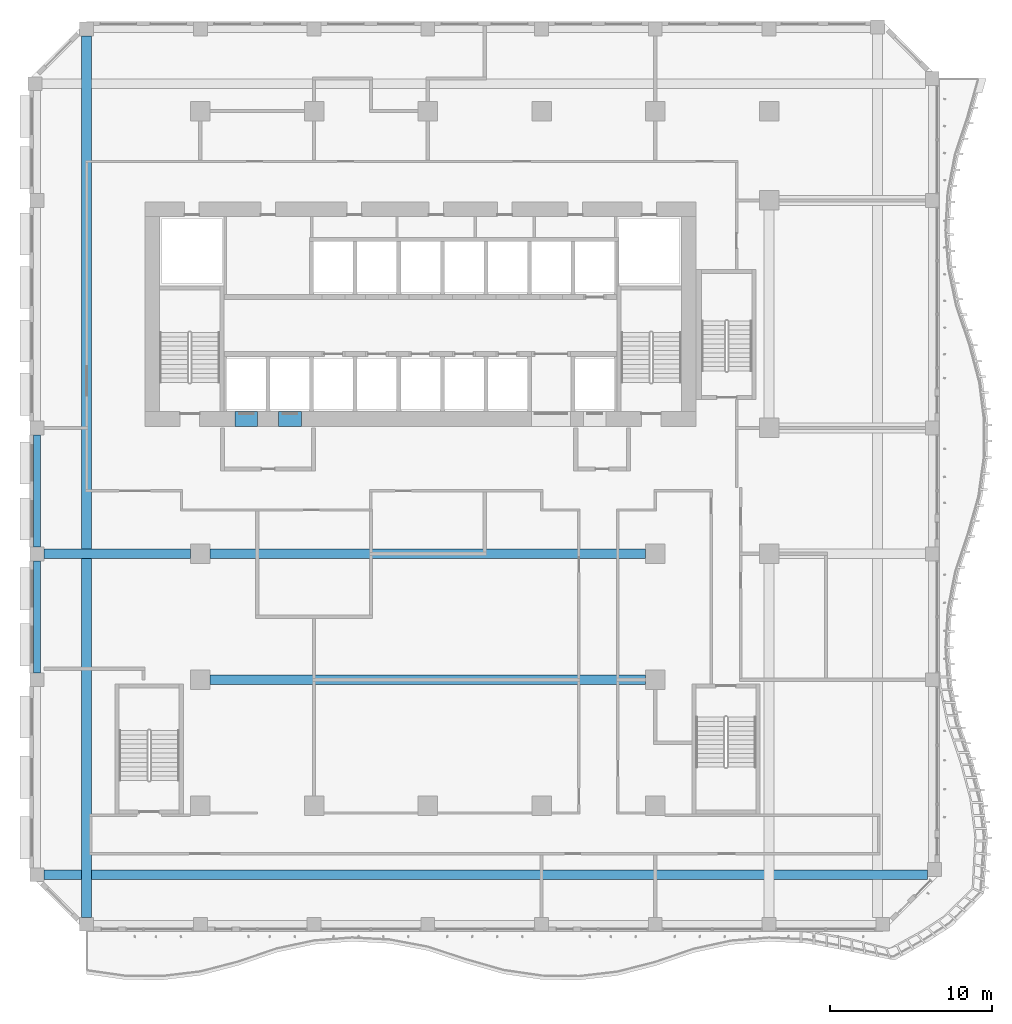
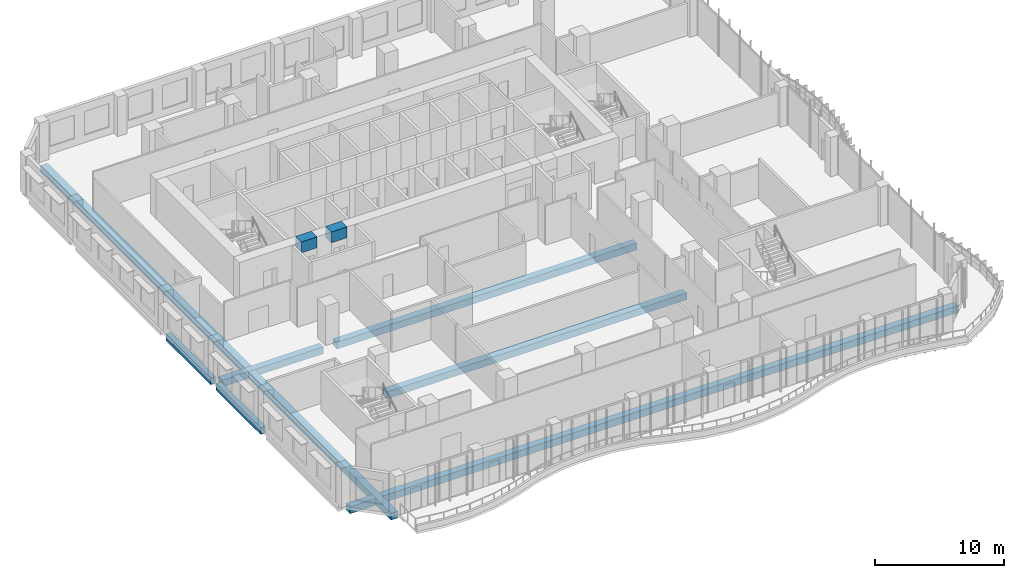
# One storey, part 3 of 26: 9 beams.
"""IFC4 building model written with IfcOpenShell, lengths in metres."""

from ifc_helpers import new_model, si_unit, direction, frame, origin, origin_2d, place, context, subcontext, project, spatial, rectangle, extrude, source, transform, mapped, material, material_profile, profile_set, type_object, element, save


model = new_model("IFC4")

# Units and contexts
model_context = context("Model", 3, precision=1e-05, world=origin(), true_north=direction((0.0, 1.0)))
body_context = subcontext(model_context, "Body", "Model", "MODEL_VIEW")
ifc_project = project(units=[si_unit("LENGTHUNIT", "METRE"), si_unit("AREAUNIT", "SQUARE_METRE"), si_unit("VOLUMEUNIT", "CUBIC_METRE"), si_unit("PLANEANGLEUNIT", "RADIAN"), si_unit("MASSUNIT", "GRAM", prefix="KILO")], contexts=[model_context])

# Site, building, storey
site_placement = place(None, origin())
site = spatial("IfcSite", under=ifc_project, at=site_placement, CompositionType="ELEMENT")
building_placement = place(site_placement, origin())
building = spatial("IfcBuilding", under=site, at=building_placement, Name="Kilnfold Tower and Market Hall", CompositionType="ELEMENT")
storey_placement = place(building_placement, frame((0.0, 0.0, 108.60009765625)))
storey = spatial("IfcBuildingStorey", under=building, at=storey_placement, Name="L25", CompositionType="ELEMENT", Elevation=108.60009765625)

# Beams
ifc_material_1 = material(Name="Concrete C70", Category="concrete")
ifc_material_profile_1 = material_profile(ifc_material_1, rectangle(XDim=0.89990234375, YDim=1.02001953125, at=origin_2d()), Name="RC 900x1020")
ifc_profile_set_1 = profile_set([ifc_material_profile_1], Name="Concrete C70")
beam_type_1 = type_object("IfcBeamType", Name="COUPLING BEAM 900X1020 C70", PredefinedType="BEAM", material=ifc_profile_set_1)
shared_shape_1 = source(origin(), body_context, "Body", "SweptSolid", [
    extrude(rectangle(XDim=0.89990234375, YDim=1.02001953125, at=origin_2d()), origin(), (0.0, 0.0, 1.0), 1.400146484375),
])
beam_1_placement = place(storey_placement, frame((-10.3701171875, 8.550048828125, 3.2099609375), z_axis=(1.0, 0.0, 0.0), x_axis=(0.0, 1.0, 0.0)))
element("IfcBeam", 1, at=beam_1_placement, inside=storey, type_object=beam_type_1, Name="Coupling beam CB1020-70-CORE.40", PredefinedType="BEAM", context=body_context, shape_type="MappedRepresentation", body=[
    mapped(shared_shape_1, transform((0.0, 0.0, 0.0))),
])
shared_shape_2 = source(origin(), body_context, "Body", "SweptSolid", [
    extrude(rectangle(XDim=0.89990234375, YDim=1.02001953125, at=origin_2d()), origin(), (0.0, 0.0, 1.0), 1.39990234375),
])
beam_2_placement = place(storey_placement, frame((-7.68994140625, 8.550048828125, 3.2099609375), z_axis=(1.0, 0.0, 0.0), x_axis=(0.0, 1.0, 0.0)))
element("IfcBeam", 2, at=beam_2_placement, inside=storey, type_object=beam_type_1, Name="Coupling beam CB1020-70-CORE.41", PredefinedType="BEAM", context=body_context, shape_type="MappedRepresentation", body=[
    mapped(shared_shape_2, transform((0.0, 0.0, 0.0))),
])
ifc_material_2 = material(Name="Concrete C45", Category="concrete")
ifc_material_profile_2 = material_profile(ifc_material_2, rectangle(XDim=0.60009765625, YDim=0.64990234375, at=origin_2d()), Name="RC 600x650")
ifc_profile_set_2 = profile_set([ifc_material_profile_2], Name="Concrete C45")
beam_type_2 = type_object("IfcBeamType", Name="BEAM 600X650 C45", PredefinedType="BEAM", material=ifc_profile_set_2)
shared_shape_3 = source(origin(), body_context, "Body", "SweptSolid", [
    extrude(rectangle(XDim=0.60009765625, YDim=0.64990234375, at=origin_2d()), origin(), (0.0, 0.0, 1.0), 54.3818359375),
])
beam_3_placement = place(storey_placement, frame((-22.125, -19.5, -0.60498046875), z_axis=(1.0, 0.0, 0.0), x_axis=(0.0, 1.0, 0.0)))
element("IfcBeam", 3, at=beam_3_placement, inside=storey, type_object=beam_type_2, Name="Beam BB650-B3.59", PredefinedType="BEAM", context=body_context, shape_type="MappedRepresentation", body=[
    mapped(shared_shape_3, transform((0.0, 0.0, 0.0))),
])
shared_shape_4 = source(origin(), body_context, "Body", "SweptSolid", [
    extrude(rectangle(XDim=0.60009765625, YDim=0.64990234375, at=origin_2d()), origin(), (0.0, 0.0, 1.0), 26.7998046875),
])
for number, where, z_axis, x_axis, name in (
    (4, (-11.89990234375, -7.5, -0.60498046875), (1.0, 0.0, 0.0), (0.0, 1.0, 0.0), "Beam BB650-B3.60"),
    (5, (-11.89990234375, 0.25, -0.60498046875), (1.0, 0.0, 0.0), (0.0, 1.0, 0.0), "Beam BB650-B3.62"),
):
    element("IfcBeam", number, at=place(storey_placement, frame(where, z_axis=z_axis, x_axis=x_axis)), inside=storey, type_object=beam_type_2, Name=name, PredefinedType="BEAM", context=body_context, shape_type="MappedRepresentation", body=[
        mapped(shared_shape_4, transform((0.0, 0.0, 0.0))),
    ])
shared_shape_5 = source(origin(), body_context, "Body", "SweptSolid", [
    extrude(rectangle(XDim=0.60009765625, YDim=0.64990234375, at=origin_2d()), origin(), (0.0, 0.0, 1.0), 9.02490234375),
])
beam_4_placement = place(storey_placement, frame((-22.125, 0.25, -0.60498046875), z_axis=(1.0, 0.0, 0.0), x_axis=(0.0, 1.0, 0.0)))
element("IfcBeam", 6, at=beam_4_placement, inside=storey, type_object=beam_type_2, Name="Beam BB650-B3.61", PredefinedType="BEAM", context=body_context, shape_type="MappedRepresentation", body=[
    mapped(shared_shape_5, transform((0.0, 0.0, 0.0))),
])
ifc_material_3 = material(Name="Concrete C45", Category="concrete")
ifc_material_profile_3 = material_profile(ifc_material_3, rectangle(XDim=0.449951171875, YDim=0.64990234375, at=origin_2d()), Name="RC 450x650")
ifc_profile_set_3 = profile_set([ifc_material_profile_3], Name="Concrete C45")
beam_type_3 = type_object("IfcBeamType", Name="EDGE BEAM 450X650 C45", PredefinedType="BEAM", material=ifc_profile_set_3)
shared_shape_6 = source(origin(), body_context, "Body", "SweptSolid", [
    extrude(rectangle(XDim=0.449951171875, YDim=0.64990234375, at=origin_2d()), origin(), (0.0, 0.0, 1.0), 6.89990234375),
])
for number, where, z_axis, x_axis, name in (
    (7, (-22.550048828125, -7.074951171875, -0.60498046875), (0.0, 1.0, 0.0), (-1.0, 0.0, 0.0), "Beam EB650-B3.75"),
    (8, (-22.550048828125, 0.675048828125, -0.60498046875), (0.0, 1.0, 0.0), (-1.0, 0.0, 0.0), "Beam EB650-B3.76"),
):
    element("IfcBeam", number, at=place(storey_placement, frame(where, z_axis=z_axis, x_axis=x_axis)), inside=storey, type_object=beam_type_3, Name=name, PredefinedType="BEAM", context=body_context, shape_type="MappedRepresentation", body=[
        mapped(shared_shape_6, transform((0.0, 0.0, 0.0))),
    ])
shared_shape_7 = source(origin(), body_context, "Body", "SweptSolid", [
    extrude(rectangle(XDim=0.60009765625, YDim=0.64990234375, at=origin_2d()), origin(), (0.0, 0.0, 1.0), 54.25),
])
beam_5_placement = place(storey_placement, frame((-19.5, -22.125, -0.60498046875), z_axis=(0.0, 1.0, 0.0), x_axis=(-1.0, 0.0, 0.0)))
element("IfcBeam", 9, at=beam_5_placement, inside=storey, type_object=beam_type_2, Name="Beam BB650-B3.79", PredefinedType="BEAM", context=body_context, shape_type="MappedRepresentation", body=[
    mapped(shared_shape_7, transform((0.0, 0.0, 0.0))),
])

save(model, "model.ifc")
